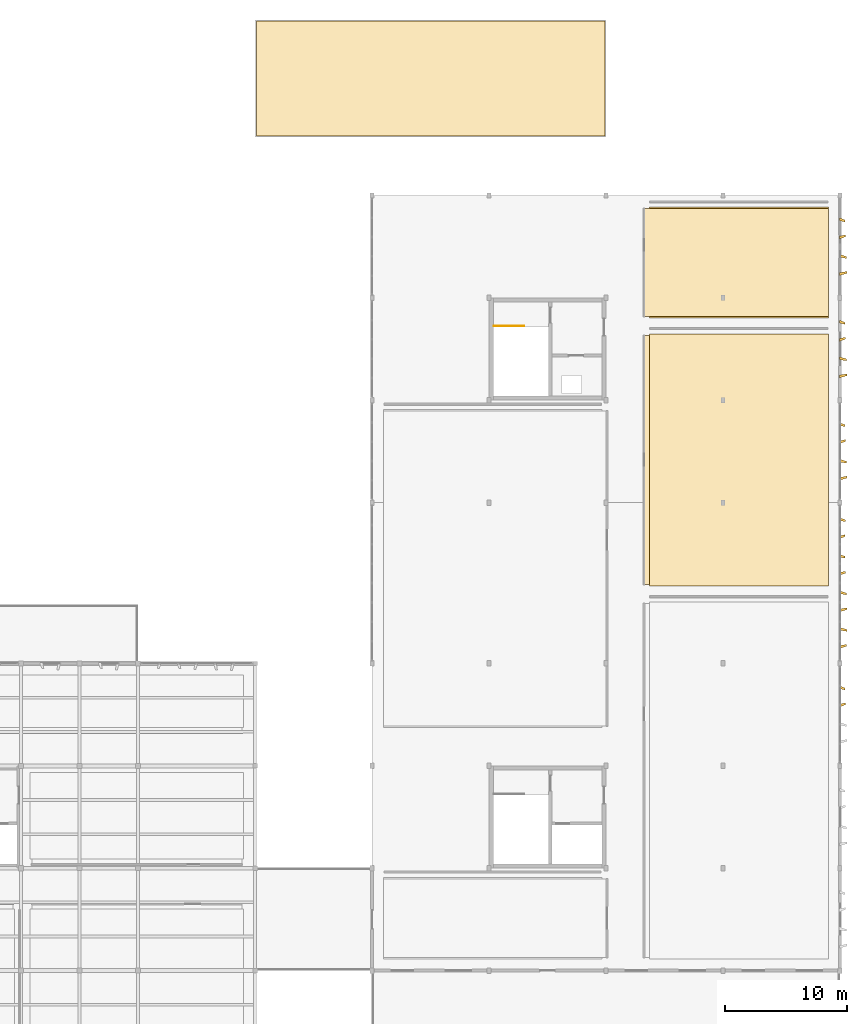
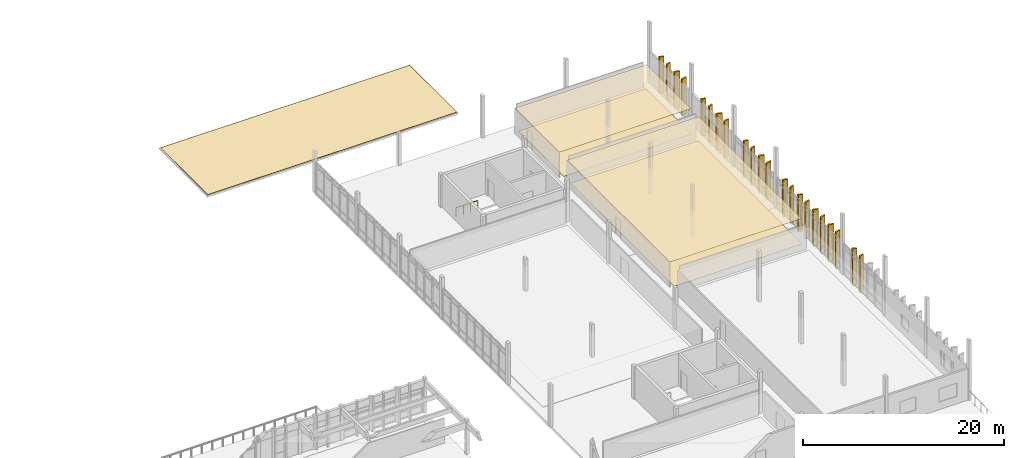
# One storey, part 61 of 61: 27 coverings, 1 railing.
"""IFC4 building model written with IfcOpenShell, lengths in metres."""

from ifc_helpers import new_model, si_unit, direction, frame, origin, origin_2d, place, context, subcontext, project, spatial, polyline, circle, outline, extrude, material, layer, layer_set, type_object, element, save


model = new_model("IFC4")

# Units and contexts
model_context = context("Model", 3, precision=1e-05, world=origin(), true_north=direction((0.0, 1.0)))
body_context = subcontext(model_context, "Body", "Model", "MODEL_VIEW")
ifc_project = project(units=[si_unit("LENGTHUNIT", "METRE"), si_unit("AREAUNIT", "SQUARE_METRE"), si_unit("VOLUMEUNIT", "CUBIC_METRE"), si_unit("PLANEANGLEUNIT", "RADIAN"), si_unit("MASSUNIT", "GRAM", prefix="KILO")], contexts=[model_context])

# Site, building, storey
site_placement = place(None, origin())
site = spatial("IfcSite", under=ifc_project, at=site_placement, CompositionType="ELEMENT")
building_placement = place(site_placement, origin())
building = spatial("IfcBuilding", under=site, at=building_placement, Name="Kolvemor Railside Polytechnic", CompositionType="ELEMENT")
storey_placement = place(building_placement, frame((0.0, 0.0, 10.199951171875)))
storey = spatial("IfcBuildingStorey", under=building, at=storey_placement, Name="L02", CompositionType="ELEMENT", Elevation=10.199951171875)

# Coverings
ifc_material_1 = material(Name="Perforated acoustic mineral-fibre and timber-slat ceiling", Category="wood")
ifc_layer_1 = layer(ifc_material_1, 0.02490234375, Name="COV-CEIL-1")
ifc_layer_set_1 = layer_set([ifc_layer_1], Name="Perforated acoustic mineral-fibre and timber-slat ceiling")
covering_type_1 = type_object("IfcCoveringType", Name="COV-CEIL-1", PredefinedType="CEILING", material=ifc_layer_set_1)
covering_1_placement = place(storey_placement, frame((0.0, 0.0, 3.005126953125)))
element("IfcCovering", 1, at=covering_1_placement, inside=storey, type_object=covering_type_1, Name="Student Welfare and Careers Centre Acoustic Ceiling", PredefinedType="CEILING", context=body_context, shape_type="SweptSolid", body=[
    extrude(outline(polyline([(166.320068359375, 44.8798828125), (181.449951171875, 44.8798828125), (181.449951171875, 65.320068359375), (166.320068359375, 65.320068359375), (166.320068359375, 44.8798828125)])), origin(), (0.0, 0.0, 1.0), 0.02490234375),
])
ifc_material_2 = material(Name="Perforated acoustic mineral-fibre and timber-slat ceiling", Category="wood")
ifc_layer_2 = layer(ifc_material_2, 0.030029296875, Name="COV-CEIL-2")
ifc_layer_set_2 = layer_set([ifc_layer_2], Name="Perforated acoustic mineral-fibre and timber-slat ceiling")
covering_type_2 = type_object("IfcCoveringType", Name="COV-CEIL-2", PredefinedType="CEILING", material=ifc_layer_set_2)
covering_2_placement = place(storey_placement, frame((0.0, 0.0, 3.0)))
element("IfcCovering", 2, at=covering_2_placement, inside=storey, type_object=covering_type_2, Name="East Lounge Public and Accessible WC L02 Acoustic Ceiling", PredefinedType="CEILING", context=body_context, shape_type="SweptSolid", body=[
    extrude(outline(polyline([(166.320068359375, 66.8798828125), (181.449951171875, 66.8798828125), (181.449951171875, 75.719970703125), (166.320068359375, 75.719970703125), (166.320068359375, 66.8798828125)])), origin(), (0.0, 0.0, 1.0), 0.030029296875),
])
ifc_material_3 = material(Name="Sea-mist PVDF-anodised marine aluminium 5052-H32", Category="aluminium")
ifc_layer_3 = layer(ifc_material_3, 0.159912109375, Name="COV-FIN-MIST")
ifc_layer_set_3 = layer_set([ifc_layer_3], Name="Sea-mist PVDF-anodised marine aluminium 5052-H32")
covering_type_3 = type_object("IfcCoveringType", Name="COV-FIN-MIST", PredefinedType="CLADDING", material=ifc_layer_set_3)
covering_3_placement = place(storey_placement, frame((0.0, 0.0, -0.280029296875)))
element("IfcCovering", 3, at=covering_3_placement, inside=storey, type_object=covering_type_3, Name="Pleated Solar Fin L02-0145", PredefinedType="CLADDING", context=body_context, shape_type="SweptSolid", body=[
    extrude(outline(polyline([(182.364990234375, 34.8349609375), (182.364990234375, 35.06494140625), (182.842041015625, 35.169921875), (182.842041015625, 35.010009765625), (182.364990234375, 34.8349609375)])), origin(), (0.0, 0.0, 1.0), 4.47998046875),
])
covering_4_placement = place(storey_placement, frame((0.0, 0.0, -0.280029296875)))
element("IfcCovering", 4, at=covering_4_placement, inside=storey, type_object=covering_type_3, Name="Pleated Solar Fin L02-0146", PredefinedType="CLADDING", context=body_context, shape_type="SweptSolid", body=[
    extrude(outline(polyline([(182.364990234375, 36.3349609375), (182.364990234375, 36.56494140625), (182.805908203125, 36.389892578125), (182.805908203125, 36.22998046875), (182.364990234375, 36.3349609375)])), origin(), (0.0, 0.0, 1.0), 4.47998046875),
])
covering_5_placement = place(storey_placement, frame((0.0, 0.0, -0.280029296875)))
element("IfcCovering", 5, at=covering_5_placement, inside=storey, type_object=covering_type_3, Name="Pleated Solar Fin L02-0187", PredefinedType="CLADDING", context=body_context, shape_type="SweptSolid", body=[
    extrude(outline(polyline([(182.364990234375, 39.635009765625), (182.364990234375, 39.864990234375), (182.93310546875, 39.969970703125), (182.93310546875, 39.81005859375), (182.364990234375, 39.635009765625)])), origin(), (0.0, 0.0, 1.0), 4.47998046875),
])
covering_6_placement = place(storey_placement, frame((0.0, 0.0, -0.280029296875)))
element("IfcCovering", 6, at=covering_6_placement, inside=storey, type_object=covering_type_3, Name="Pleated Solar Fin L02-0188", PredefinedType="CLADDING", context=body_context, shape_type="SweptSolid", body=[
    extrude(outline(polyline([(182.364990234375, 41.135009765625), (182.364990234375, 41.364990234375), (182.962890625, 41.18994140625), (182.962890625, 41.030029296875), (182.364990234375, 41.135009765625)])), origin(), (0.0, 0.0, 1.0), 4.47998046875),
])
covering_7_placement = place(storey_placement, frame((0.0, 0.0, -0.280029296875)))
element("IfcCovering", 7, at=covering_7_placement, inside=storey, type_object=covering_type_3, Name="Pleated Solar Fin L02-0189", PredefinedType="CLADDING", context=body_context, shape_type="SweptSolid", body=[
    extrude(outline(polyline([(182.364990234375, 42.635009765625), (182.364990234375, 42.864990234375), (182.955078125, 42.969970703125), (182.955078125, 42.81005859375), (182.364990234375, 42.635009765625)])), origin(), (0.0, 0.0, 1.0), 4.47998046875),
])
covering_8_placement = place(storey_placement, frame((0.0, 0.0, -0.280029296875)))
element("IfcCovering", 8, at=covering_8_placement, inside=storey, type_object=covering_type_3, Name="Pleated Solar Fin L02-0190", PredefinedType="CLADDING", context=body_context, shape_type="SweptSolid", body=[
    extrude(outline(polyline([(182.364990234375, 44.135009765625), (182.364990234375, 44.364990234375), (182.9130859375, 44.18994140625), (182.9130859375, 44.030029296875), (182.364990234375, 44.135009765625)])), origin(), (0.0, 0.0, 1.0), 4.47998046875),
])
covering_9_placement = place(storey_placement, frame((0.0, 0.0, -0.280029296875)))
element("IfcCovering", 9, at=covering_9_placement, inside=storey, type_object=covering_type_3, Name="Pleated Solar Fin L02-0191", PredefinedType="CLADDING", context=body_context, shape_type="SweptSolid", body=[
    extrude(outline(polyline([(182.364990234375, 45.635009765625), (182.364990234375, 45.864990234375), (182.85693359375, 45.969970703125), (182.85693359375, 45.81005859375), (182.364990234375, 45.635009765625)])), origin(), (0.0, 0.0, 1.0), 4.47998046875),
])
covering_10_placement = place(storey_placement, frame((0.0, 0.0, -0.280029296875)))
element("IfcCovering", 10, at=covering_10_placement, inside=storey, type_object=covering_type_3, Name="Pleated Solar Fin L02-0192", PredefinedType="CLADDING", context=body_context, shape_type="SweptSolid", body=[
    extrude(outline(polyline([(182.364990234375, 47.135009765625), (182.364990234375, 47.364990234375), (182.81494140625, 47.18994140625), (182.81494140625, 47.030029296875), (182.364990234375, 47.135009765625)])), origin(), (0.0, 0.0, 1.0), 4.47998046875),
])
covering_11_placement = place(storey_placement, frame((0.0, 0.0, -0.280029296875)))
element("IfcCovering", 11, at=covering_11_placement, inside=storey, type_object=covering_type_3, Name="Pleated Solar Fin L02-0193", PredefinedType="CLADDING", context=body_context, shape_type="SweptSolid", body=[
    extrude(outline(polyline([(182.364990234375, 48.635009765625), (182.364990234375, 48.864990234375), (182.806884765625, 48.969970703125), (182.806884765625, 48.81005859375), (182.364990234375, 48.635009765625)])), origin(), (0.0, 0.0, 1.0), 4.47998046875),
])
covering_12_placement = place(storey_placement, frame((0.0, 0.0, -0.280029296875)))
element("IfcCovering", 12, at=covering_12_placement, inside=storey, type_object=covering_type_3, Name="Pleated Solar Fin L02-0194", PredefinedType="CLADDING", context=body_context, shape_type="SweptSolid", body=[
    extrude(outline(polyline([(182.364990234375, 50.135009765625), (182.364990234375, 50.364990234375), (182.8369140625, 50.18994140625), (182.8369140625, 50.030029296875), (182.364990234375, 50.135009765625)])), origin(), (0.0, 0.0, 1.0), 4.47998046875),
])
covering_13_placement = place(storey_placement, frame((0.0, 0.0, -0.280029296875)))
element("IfcCovering", 13, at=covering_13_placement, inside=storey, type_object=covering_type_3, Name="Pleated Solar Fin L02-0216", PredefinedType="CLADDING", context=body_context, shape_type="SweptSolid", body=[
    extrude(outline(polyline([(182.364990234375, 53.43505859375), (182.364990234375, 53.6650390625), (182.964111328125, 53.77001953125), (182.964111328125, 53.610107421875), (182.364990234375, 53.43505859375)])), origin(), (0.0, 0.0, 1.0), 4.47998046875),
])
covering_14_placement = place(storey_placement, frame((0.0, 0.0, -0.280029296875)))
element("IfcCovering", 14, at=covering_14_placement, inside=storey, type_object=covering_type_3, Name="Pleated Solar Fin L02-0217", PredefinedType="CLADDING", context=body_context, shape_type="SweptSolid", body=[
    extrude(outline(polyline([(182.364990234375, 54.93505859375), (182.364990234375, 55.1650390625), (182.927978515625, 54.989990234375), (182.927978515625, 54.830078125), (182.364990234375, 54.93505859375)])), origin(), (0.0, 0.0, 1.0), 4.47998046875),
])
covering_15_placement = place(storey_placement, frame((0.0, 0.0, -0.280029296875)))
element("IfcCovering", 15, at=covering_15_placement, inside=storey, type_object=covering_type_3, Name="Pleated Solar Fin L02-0218", PredefinedType="CLADDING", context=body_context, shape_type="SweptSolid", body=[
    extrude(outline(polyline([(182.364990234375, 56.43505859375), (182.364990234375, 56.6650390625), (182.842041015625, 56.77001953125), (182.842041015625, 56.610107421875), (182.364990234375, 56.43505859375)])), origin(), (0.0, 0.0, 1.0), 4.47998046875),
])
covering_16_placement = place(storey_placement, frame((0.0, 0.0, -0.280029296875)))
element("IfcCovering", 16, at=covering_16_placement, inside=storey, type_object=covering_type_3, Name="Pleated Solar Fin L02-0219", PredefinedType="CLADDING", context=body_context, shape_type="SweptSolid", body=[
    extrude(outline(polyline([(182.364990234375, 57.93505859375), (182.364990234375, 58.1650390625), (182.805908203125, 57.989990234375), (182.805908203125, 57.830078125), (182.364990234375, 57.93505859375)])), origin(), (0.0, 0.0, 1.0), 4.47998046875),
])
covering_17_placement = place(storey_placement, frame((0.0, 0.0, -0.280029296875)))
element("IfcCovering", 17, at=covering_17_placement, inside=storey, type_object=covering_type_3, Name="Pleated Solar Fin L02-0241", PredefinedType="CLADDING", context=body_context, shape_type="SweptSolid", body=[
    extrude(outline(polyline([(182.364990234375, 61.8349609375), (182.364990234375, 62.06494140625), (182.964111328125, 62.169921875), (182.964111328125, 62.010009765625), (182.364990234375, 61.8349609375)])), origin(), (0.0, 0.0, 1.0), 4.47998046875),
])
covering_18_placement = place(storey_placement, frame((0.0, 0.0, -0.280029296875)))
element("IfcCovering", 18, at=covering_18_placement, inside=storey, type_object=covering_type_3, Name="Pleated Solar Fin L02-0242", PredefinedType="CLADDING", context=body_context, shape_type="SweptSolid", body=[
    extrude(outline(polyline([(182.364990234375, 63.3349609375), (182.364990234375, 63.56494140625), (182.927978515625, 63.389892578125), (182.927978515625, 63.22998046875), (182.364990234375, 63.3349609375)])), origin(), (0.0, 0.0, 1.0), 4.47998046875),
])
covering_19_placement = place(storey_placement, frame((0.0, 0.0, -0.280029296875)))
element("IfcCovering", 19, at=covering_19_placement, inside=storey, type_object=covering_type_3, Name="Pleated Solar Fin L02-0243", PredefinedType="CLADDING", context=body_context, shape_type="SweptSolid", body=[
    extrude(outline(polyline([(182.364990234375, 64.8349609375), (182.364990234375, 65.06494140625), (182.842041015625, 65.169921875), (182.842041015625, 65.010009765625), (182.364990234375, 64.8349609375)])), origin(), (0.0, 0.0, 1.0), 4.47998046875),
])
covering_20_placement = place(storey_placement, frame((0.0, 0.0, -0.280029296875)))
element("IfcCovering", 20, at=covering_20_placement, inside=storey, type_object=covering_type_3, Name="Pleated Solar Fin L02-0244", PredefinedType="CLADDING", context=body_context, shape_type="SweptSolid", body=[
    extrude(outline(polyline([(182.364990234375, 66.3349609375), (182.364990234375, 66.56494140625), (182.805908203125, 66.389892578125), (182.805908203125, 66.22998046875), (182.364990234375, 66.3349609375)])), origin(), (0.0, 0.0, 1.0), 4.47998046875),
])
covering_21_placement = place(storey_placement, frame((0.0, 0.0, -0.280029296875)))
element("IfcCovering", 21, at=covering_21_placement, inside=storey, type_object=covering_type_3, Name="Pleated Solar Fin L02-0266", PredefinedType="CLADDING", context=body_context, shape_type="SweptSolid", body=[
    extrude(outline(polyline([(182.364990234375, 70.235107421875), (182.364990234375, 70.465087890625), (182.964111328125, 70.570068359375), (182.964111328125, 70.409912109375), (182.364990234375, 70.235107421875)])), origin(), (0.0, 0.0, 1.0), 4.47998046875),
])
covering_22_placement = place(storey_placement, frame((0.0, 0.0, -0.280029296875)))
element("IfcCovering", 22, at=covering_22_placement, inside=storey, type_object=covering_type_3, Name="Pleated Solar Fin L02-0267", PredefinedType="CLADDING", context=body_context, shape_type="SweptSolid", body=[
    extrude(outline(polyline([(182.364990234375, 71.735107421875), (182.364990234375, 71.965087890625), (182.927978515625, 71.7900390625), (182.927978515625, 71.6298828125), (182.364990234375, 71.735107421875)])), origin(), (0.0, 0.0, 1.0), 4.47998046875),
])
covering_23_placement = place(storey_placement, frame((0.0, 0.0, -0.280029296875)))
element("IfcCovering", 23, at=covering_23_placement, inside=storey, type_object=covering_type_3, Name="Pleated Solar Fin L02-0268", PredefinedType="CLADDING", context=body_context, shape_type="SweptSolid", body=[
    extrude(outline(polyline([(182.364990234375, 73.235107421875), (182.364990234375, 73.465087890625), (182.842041015625, 73.570068359375), (182.842041015625, 73.409912109375), (182.364990234375, 73.235107421875)])), origin(), (0.0, 0.0, 1.0), 4.47998046875),
])
covering_24_placement = place(storey_placement, frame((0.0, 0.0, -0.280029296875)))
element("IfcCovering", 24, at=covering_24_placement, inside=storey, type_object=covering_type_3, Name="Pleated Solar Fin L02-0269", PredefinedType="CLADDING", context=body_context, shape_type="SweptSolid", body=[
    extrude(outline(polyline([(182.364990234375, 74.735107421875), (182.364990234375, 74.965087890625), (182.805908203125, 74.7900390625), (182.805908203125, 74.6298828125), (182.364990234375, 74.735107421875)])), origin(), (0.0, 0.0, 1.0), 4.47998046875),
])
ifc_material_4 = material(Name="Polished coral-aggregate terrazzo and laboratory epoxy flooring")
ifc_layer_4 = layer(ifc_material_4, 0.02001953125, Name="COV-FLR-1")
ifc_layer_set_4 = layer_set([ifc_layer_4], Name="Polished coral-aggregate terrazzo and laboratory epoxy flooring")
covering_type_4 = type_object("IfcCoveringType", Name="COV-FLR-1", PredefinedType="FLOORING", material=ifc_layer_set_4)
covering_25_placement = place(storey_placement, origin())
element("IfcCovering", 25, at=covering_25_placement, inside=storey, type_object=covering_type_4, Name="Student Welfare and Careers Centre Floor Finish", PredefinedType="FLOORING", context=body_context, shape_type="SweptSolid", body=[
    extrude(outline(polyline([(166.75, 44.75), (181.449951171875, 44.75), (181.449951171875, 65.449951171875), (166.75, 65.449951171875), (166.75, 44.75)])), origin(), (0.0, 0.0, 1.0), 0.02001953125),
])
ifc_material_5 = material(Name="Polished coral-aggregate terrazzo and laboratory epoxy flooring")
ifc_layer_5 = layer(ifc_material_5, 0.02490234375, Name="COV-FLR-2")
ifc_layer_set_5 = layer_set([ifc_layer_5], Name="Polished coral-aggregate terrazzo and laboratory epoxy flooring")
covering_type_5 = type_object("IfcCoveringType", Name="COV-FLR-2", PredefinedType="FLOORING", material=ifc_layer_set_5)
covering_26_placement = place(storey_placement, origin())
element("IfcCovering", 26, at=covering_26_placement, inside=storey, type_object=covering_type_5, Name="East Lounge Public and Accessible WC L02 Floor Finish", PredefinedType="FLOORING", context=body_context, shape_type="SweptSolid", body=[
    extrude(outline(polyline([(166.75, 66.75), (181.449951171875, 66.75), (181.449951171875, 75.85009765625), (166.75, 75.85009765625), (166.75, 66.75)])), origin(), (0.0, 0.0, 1.0), 0.025146484375),
])
ifc_material_6 = material(Name="High-reflectance tropical cool-roof TPO membrane")
ifc_layer_6 = layer(ifc_material_6, 0.044921875, Name="COV-ROOF-TPO")
ifc_layer_set_6 = layer_set([ifc_layer_6], Name="High-reflectance tropical cool-roof TPO membrane")
covering_type_6 = type_object("IfcCoveringType", Name="COV-ROOF-TPO", PredefinedType="ROOFING", material=ifc_layer_set_6)
covering_27_placement = place(storey_placement, origin())
element("IfcCovering", 27, at=covering_27_placement, inside=storey, type_object=covering_type_6, Name="Link Roof Membrane 2", PredefinedType="ROOFING", context=body_context, shape_type="SweptSolid", body=[
    extrude(outline(polyline([(134.5, 81.699951171875), (163.10009765625, 81.699951171875), (163.10009765625, 91.10009765625), (134.5, 91.10009765625), (134.5, 81.699951171875)])), origin(), (0.0, 0.0, 1.0), 0.045166015625),
])

# Railing
ifc_material_7 = material(Name="AISI 316 marine stainless-steel balustrade guard", Category="steel")
railing_type = type_object("IfcRailingType", Name="RLG-GUARD-1120", PredefinedType="BALUSTRADE", material=ifc_material_7)
railing_placement = place(storey_placement, frame((154.0, 66.080078125, 0.0)))
element("IfcRailing", 28, at=railing_placement, inside=storey, type_object=railing_type, Name="ST-7 Top Well Guard L02", PredefinedType="BALUSTRADE", context=body_context, shape_type="SweptSolid", body=[
    extrude(circle(Radius=0.02392578125, at=origin_2d()), frame((0.054931640625, 0.0, 1.09619140625), z_axis=(1.0, 0.0, 0.0), x_axis=(0.0, 1.0, 0.0)), (0.0, 0.0, 1.0), 2.369873046875),
    extrude(circle(Radius=0.02099609375, at=origin_2d()), origin(), (0.0, 0.0, 1.0), 1.05712890625),
    extrude(circle(Radius=0.02099609375, at=origin_2d()), frame((0.82666015625, 0.0, 0.0)), (0.0, 0.0, 1.0), 1.05712890625),
    extrude(circle(Radius=0.02099609375, at=origin_2d()), frame((1.6533203125, 0.0, 0.0)), (0.0, 0.0, 1.0), 1.05712890625),
    extrude(circle(Radius=0.02099609375, at=origin_2d()), frame((2.47998046875, 0.0, 0.0)), (0.0, 0.0, 1.0), 1.05712890625),
])

save(model, "model.ifc")
